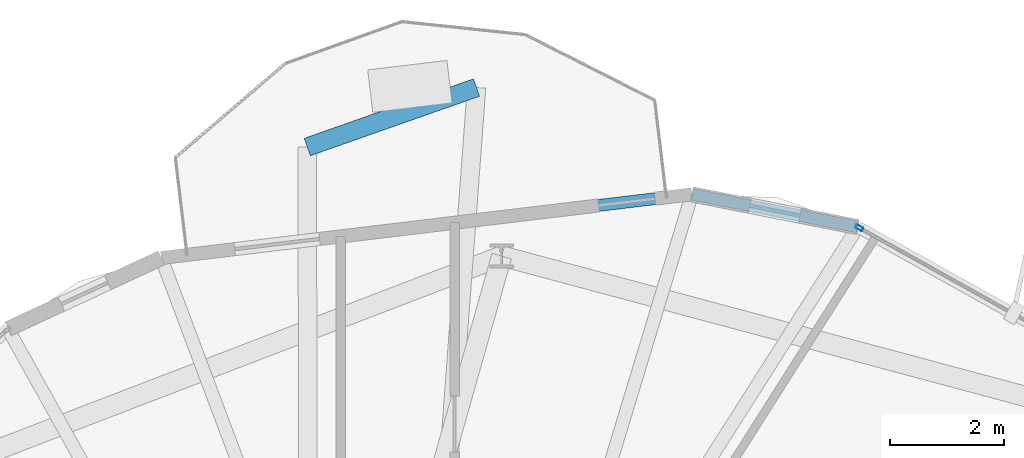
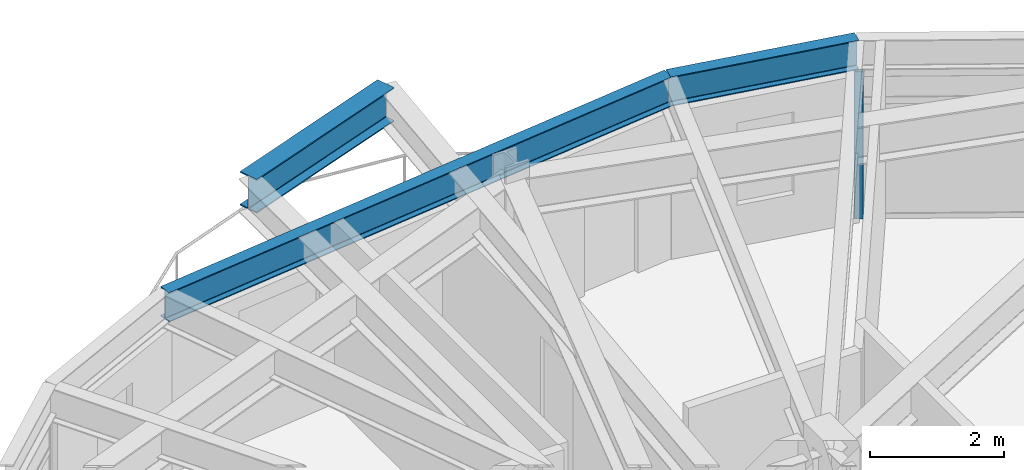
# One storey, part 16 of 25: 3 beams, 1 member, 1 element without a shape of its own.
"""IFC4 building model written with IfcOpenShell, lengths in metres."""

from ifc_helpers import new_model, si_unit, direction, frame, origin, origin_2d, place, context, subcontext, project, spatial, hollow_rectangle, i_section, extrude, material, layer, layer_set, material_profile, profile_set, type_object, element, aggregate, save


model = new_model("IFC4")

# Units and contexts
model_context = context("Model", 3, precision=1e-05, world=origin(), true_north=direction((0.0, 1.0)))
body_context = subcontext(model_context, "Body", "Model", "MODEL_VIEW")
ifc_project = project(units=[si_unit("LENGTHUNIT", "METRE"), si_unit("AREAUNIT", "SQUARE_METRE"), si_unit("VOLUMEUNIT", "CUBIC_METRE"), si_unit("PLANEANGLEUNIT", "RADIAN"), si_unit("MASSUNIT", "GRAM", prefix="KILO")], contexts=[model_context])

# Site, building, storey
site_placement = place(None, origin())
site = spatial("IfcSite", under=ifc_project, at=site_placement, CompositionType="ELEMENT")
building_placement = place(site_placement, origin())
building = spatial("IfcBuilding", under=site, at=building_placement, Name="Soratama Intermodal Tower", CompositionType="ELEMENT")
storey_placement = place(building_placement, frame((0.0, 0.0, 190.60009765625)))
storey = spatial("IfcBuildingStorey", under=building, at=storey_placement, Name="L47", CompositionType="ELEMENT", Elevation=190.60009765625)

# Beams
ifc_material_1 = material(Name="Structural steel ASTM A992 Grade 50", Category="steel")
ifc_material_profile_1 = material_profile(ifc_material_1, i_section(OverallWidth=0.324951171875, OverallDepth=0.615966796875, WebThickness=0.013916015625, FlangeThickness=0.021484375, FilletRadius=0.013916015625, at=origin_2d()), Name="W24X117")
ifc_profile_set_1 = profile_set([ifc_material_profile_1], Name="Structural steel ASTM A992 Grade 50")
beam_type_1 = type_object("IfcBeamType", Name="BM-CANT-W24X117", PredefinedType="BEAM", material=ifc_profile_set_1)
beam_1_placement = place(storey_placement, frame((43.5849609375, 46.532958984375, 2.991943359375), z_axis=(-0.943450309488, -0.331513971844, 0.0), x_axis=(0.331513971844, -0.943450309488, 0.0)))
element("IfcBeam", 1, at=beam_1_placement, inside=storey, type_object=beam_type_1, Name="BM-L47-CBHDR-2", PredefinedType="BEAM", context=body_context, shape_type="SweptSolid", body=[
    extrude(i_section(OverallWidth=0.324951171875, OverallDepth=0.615966796875, WebThickness=0.013916015625, FlangeThickness=0.021484375, FilletRadius=0.013916015625, at=origin_2d()), origin(), (0.0, 0.0, 1.0), 3.14892578125),
])
ifc_material_2 = material(Name="Structural steel ASTM A992 Grade 50", Category="steel")
ifc_material_profile_2 = material_profile(ifc_material_2, i_section(OverallWidth=0.2099609375, OverallDepth=0.537109375, WebThickness=0.010986328125, FlangeThickness=0.017333984375, FilletRadius=0.012939453125, at=origin_2d()), Name="W21X68")
ifc_profile_set_2 = profile_set([ifc_material_profile_2], Name="Structural steel ASTM A992 Grade 50")
beam_type_2 = type_object("IfcBeamType", Name="BM-SPN-W21X68", PredefinedType="SPANDREL", material=ifc_profile_set_2)
beam_2_placement = place(storey_placement, frame((50.277099609375, 44.0849609375, 3.031494140625), z_axis=(-0.981036980716, 0.1938206451, 0.0), x_axis=(-0.1938206451, -0.981036980716, 0.0)))
element("IfcBeam", 2, at=beam_2_placement, inside=storey, type_object=beam_type_2, Name="BS-L47-CRN01", PredefinedType="SPANDREL", context=body_context, shape_type="SweptSolid", body=[
    extrude(i_section(OverallWidth=0.2099609375, OverallDepth=0.537109375, WebThickness=0.010986328125, FlangeThickness=0.017333984375, FilletRadius=0.012939453125, at=origin_2d()), origin(), (0.0, 0.0, 1.0), 2.96630859375),
])
beam_3_placement = place(storey_placement, frame((47.366943359375, 44.659912109375, 3.031494140625), z_axis=(-0.992876715363, -0.119146246649, 0.0), x_axis=(0.119146246649, -0.992876715363, 0.0)))
element("IfcBeam", 3, at=beam_3_placement, inside=storey, type_object=beam_type_2, Name="BS-L47-F02", PredefinedType="SPANDREL", context=body_context, shape_type="SweptSolid", body=[
    extrude(i_section(OverallWidth=0.2099609375, OverallDepth=0.537109375, WebThickness=0.010986328125, FlangeThickness=0.017333984375, FilletRadius=0.012939453125, at=origin_2d()), origin(), (0.0, 0.0, 1.0), 9.3828125),
])

# Curtain wall, member
ifc_material_3 = material(Name="Double-glazed aluminium curtain wall", Category="aluminium")
ifc_layer = layer(ifc_material_3, 0.159912109375)
ifc_layer_set = layer_set([ifc_layer], Name="Double-glazed aluminium curtain wall")
curtain_wall_type = type_object("IfcCurtainWallType", Name="CW-SYS-5", PredefinedType="NOTDEFINED", material=ifc_layer_set)
curtain_wall_placement = place(storey_placement, origin())
curtain_wall = element("IfcCurtainWall", 4, at=curtain_wall_placement, inside=storey, type_object=curtain_wall_type, Name="L47 Faceted Curtain Wall F01", PredefinedType="NOTDEFINED")
ifc_material_4 = material(Name="Anodised aluminium AA 6063-T6", Category="aluminium")
ifc_material_profile_3 = material_profile(ifc_material_4, hollow_rectangle(XDim=0.06494140625, YDim=0.139892578125, WallThickness=0.0048828125, InnerFilletRadius=0.0048828125, OuterFilletRadius=0.010009765625, at=origin_2d()), Name="CWM140X65X5")
ifc_profile_set_3 = profile_set([ifc_material_profile_3], Name="Anodised aluminium AA 6063-T6")
member_type = type_object("IfcMemberType", Name="MT-CWM-5", PredefinedType="MULLION", material=ifc_profile_set_3)
member_placement = place(storey_placement, frame((50.30322265625, 44.07080078125, 0.0), z_axis=(0.0, 0.0, 1.0), x_axis=(-0.487252946599, -0.873260880855, 0.0)))
member = element("IfcMember", 5, at=member_placement, type_object=member_type, Name="CW-5 mullion 3", PredefinedType="MULLION", context=body_context, shape_type="SweptSolid", body=[
    extrude(hollow_rectangle(XDim=0.06494140625, YDim=0.139892578125, WallThickness=0.0048828125, InnerFilletRadius=0.0048828125, OuterFilletRadius=0.010009765625, at=origin_2d()), origin(), (0.0, 0.0, 1.0), 2.678955078125),
])
aggregate(curtain_wall, [member])

save(model, "model.ifc")
